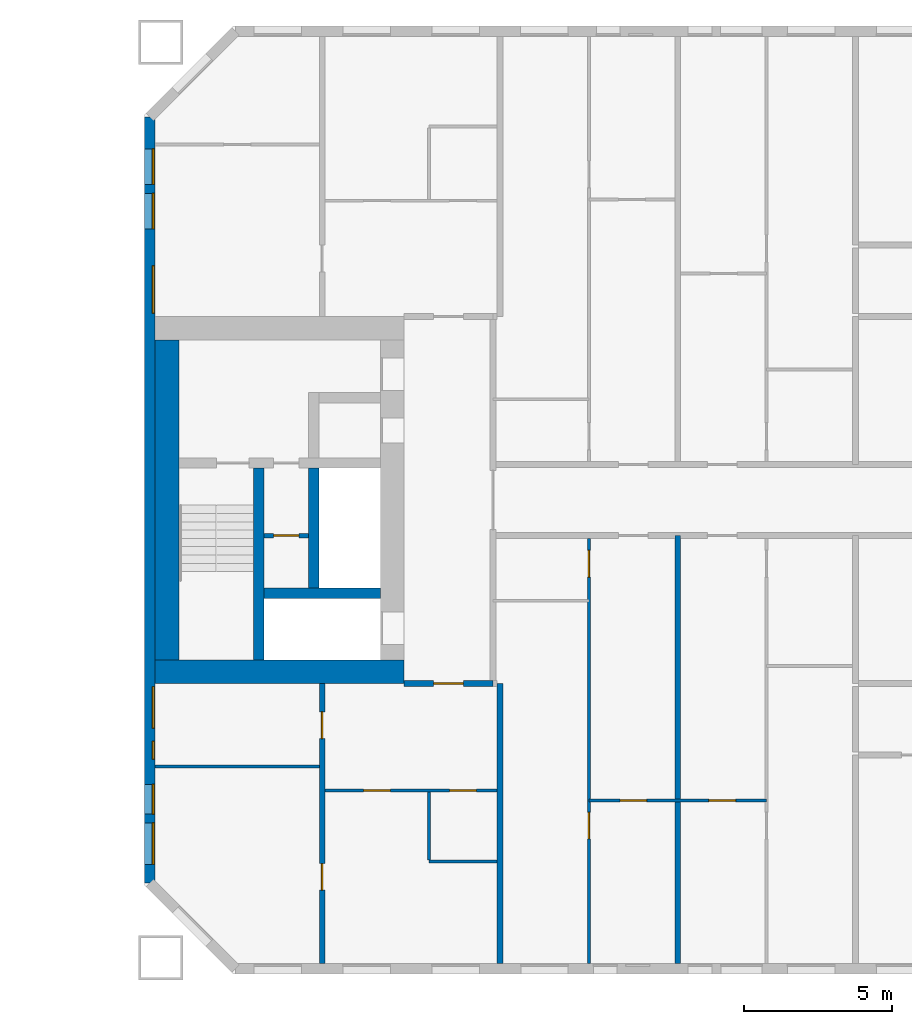
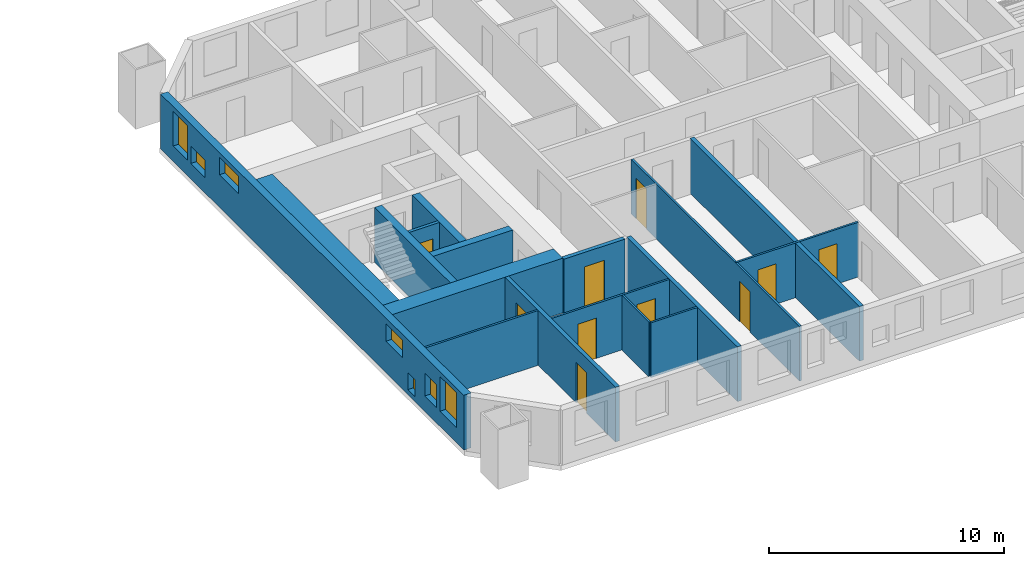
# One storey, part 11 of 19: 17 walls, 10 doors, 7 windows, 17 openings.
"""IFC4 building model written with IfcOpenShell, lengths in metres."""

from ifc_helpers import new_model, si_unit, direction, frame, frame_2d, origin, place, context, subcontext, project, spatial, rectangle, extrude, material, layer, layer_set, type_object, element, fill, save


model = new_model("IFC4")

# Units and contexts
model_context = context("Model", 3, precision=1e-05, world=origin(), true_north=direction((0.0, 1.0)))
body_context = subcontext(model_context, "Body", "Model", "MODEL_VIEW")
ifc_project = project(units=[si_unit("LENGTHUNIT", "METRE"), si_unit("AREAUNIT", "SQUARE_METRE"), si_unit("VOLUMEUNIT", "CUBIC_METRE"), si_unit("PLANEANGLEUNIT", "RADIAN"), si_unit("MASSUNIT", "GRAM", prefix="KILO")], contexts=[model_context])

# Site, building, storey
site_placement = place(None, origin())
site = spatial("IfcSite", under=ifc_project, at=site_placement, CompositionType="ELEMENT")
building_placement = place(site_placement, origin())
building = spatial("IfcBuilding", under=site, at=building_placement, Name="Tuart Gate Housing", CompositionType="ELEMENT")
storey_placement = place(building_placement, frame((0.0, 0.0, 56.699951171875)))
storey = spatial("IfcBuildingStorey", under=building, at=storey_placement, Name="L15", CompositionType="ELEMENT", Elevation=56.699951171875)

# Wall, openings, windows
ifc_material_1 = material(Name="Brick", Category="masonry")
ifc_layer_1 = layer(ifc_material_1, 0.360107421875)
ifc_layer_set_1 = layer_set([ifc_layer_1], Name="Brick pier and spandrel wall 360")
wall_type_1 = type_object("IfcWallType", Name="Brick pier and spandrel wall 360", PredefinedType="STANDARD", material=ifc_layer_set_1)
wall_1_placement = place(storey_placement, frame((131.179931640625, 82.92529296875, 0.0), z_axis=(0.0, 0.0, 1.0), x_axis=(0.0, -1.0, 0.0)))
wall_1 = element("IfcWall", 1, at=wall_1_placement, inside=storey, type_object=wall_type_1, Name="External wall B-W L15", PredefinedType="STANDARD", context=body_context, shape_type="SweptSolid", body=[
    extrude(rectangle(XDim=25.850830078125, YDim=0.360107421875, at=frame_2d((12.92529296875, 0.0))), origin(), (0.0, 0.0, 1.0), 2.85009765625),
])
opening_1_placement = place(wall_1_placement, frame((1.075439453125, 0.0, 0.800048828125)))
opening_1 = element("IfcOpeningElement", 2, at=opening_1_placement, cuts=wall_1, Name="Opening W1B", PredefinedType="OPENING", context=body_context, shape_type="SweptSolid", body=[
    extrude(rectangle(XDim=1.199951171875, YDim=1.800048828125, at=frame_2d((0.60009765625, 0.89990234375))), frame((0.0, 0.18994140625, 0.0), z_axis=(0.0, -1.0, 0.0), x_axis=(1.0, 0.0, 0.0)), (0.0, 0.0, 1.0), 0.380126953125),
])
opening_2_placement = place(wall_1_placement, frame((2.575439453125, 0.0, 0.800048828125)))
opening_2 = element("IfcOpeningElement", 3, at=opening_2_placement, cuts=wall_1, Name="Opening W1T", PredefinedType="OPENING", context=body_context, shape_type="SweptSolid", body=[
    extrude(rectangle(XDim=1.199951171875, YDim=0.89990234375, at=frame_2d((0.60009765625, 0.449951171875))), frame((0.0, 0.18994140625, 0.0), z_axis=(0.0, -1.0, 0.0), x_axis=(1.0, 0.0, 0.0)), (0.0, 0.0, 1.0), 0.380126953125),
])
opening_3_placement = place(wall_1_placement, frame((19.225341796875, 0.0, 1.64990234375)))
opening_3 = element("IfcOpeningElement", 4, at=opening_3_placement, cuts=wall_1, Name="Opening W1S", PredefinedType="OPENING", context=body_context, shape_type="SweptSolid", body=[
    extrude(rectangle(XDim=1.39990234375, YDim=0.89990234375, at=frame_2d((0.699951171875, 0.449951171875))), frame((0.0, 0.18994140625, 0.0), z_axis=(0.0, -1.0, 0.0), x_axis=(1.0, 0.0, 0.0)), (0.0, 0.0, 1.0), 0.380126953125),
])
opening_4_placement = place(wall_1_placement, frame((22.525390625, 0.0, 0.800048828125)))
opening_4 = element("IfcOpeningElement", 5, at=opening_4_placement, cuts=wall_1, Name="Opening W1O", PredefinedType="OPENING", context=body_context, shape_type="SweptSolid", body=[
    extrude(rectangle(XDim=1.0, YDim=1.199951171875, at=frame_2d((0.5, 0.60009765625))), frame((0.0, 0.18994140625, 0.0), z_axis=(0.0, -1.0, 0.0), x_axis=(1.0, 0.0, 0.0)), (0.0, 0.0, 1.0), 0.380126953125),
])
opening_5_placement = place(wall_1_placement, frame((5.025390625, 0.0, 1.699951171875)))
opening_5 = element("IfcOpeningElement", 6, at=opening_5_placement, cuts=wall_1, Name="Opening W1R", PredefinedType="OPENING", context=body_context, shape_type="SweptSolid", body=[
    extrude(rectangle(XDim=1.60009765625, YDim=0.89990234375, at=frame_2d((0.800048828125, 0.449951171875))), frame((0.0, 0.18994140625, 0.0), z_axis=(0.0, -1.0, 0.0), x_axis=(1.0, 0.0, 0.0)), (0.0, 0.0, 1.0), 0.380126953125),
])
opening_6_placement = place(wall_1_placement, frame((21.075439453125, 0.0, 0.25)))
opening_6 = element("IfcOpeningElement", 7, at=opening_6_placement, cuts=wall_1, Name="Opening W1W", PredefinedType="OPENING", context=body_context, shape_type="SweptSolid", body=[
    extrude(rectangle(XDim=0.60009765625, YDim=0.89990234375, at=frame_2d((0.300048828125, 0.449951171875))), frame((0.0, 0.18994140625, 0.0), z_axis=(0.0, -1.0, 0.0), x_axis=(1.0, 0.0, 0.0)), (0.0, 0.0, 1.0), 0.380126953125),
])
opening_7_placement = place(wall_1_placement, frame((23.825439453125, 0.0, 0.800048828125)))
opening_7 = element("IfcOpeningElement", 8, at=opening_7_placement, cuts=wall_1, Name="Opening W1A", PredefinedType="OPENING", context=body_context, shape_type="SweptSolid", body=[
    extrude(rectangle(XDim=1.39990234375, YDim=1.800048828125, at=frame_2d((0.699951171875, 0.89990234375))), frame((0.0, 0.18994140625, 0.0), z_axis=(0.0, -1.0, 0.0), x_axis=(1.0, 0.0, 0.0)), (0.0, 0.0, 1.0), 0.380126953125),
])
ifc_material_2 = material(Name="Aluminium frame with clear glass", Category="aluminium")
window_type_1 = type_object("IfcWindowType", Name="Punched window 1000 x 1200", PartitioningType="SINGLE_PANEL", PredefinedType="WINDOW", material=ifc_material_2)
window_1_placement = place(opening_4_placement, origin())
window_1 = element("IfcWindow", 9, at=window_1_placement, inside=storey, type_object=window_type_1, Name="Window W1O", OverallHeight=1.199951171875, OverallWidth=1.0, PartitioningType="SINGLE_PANEL", PredefinedType="WINDOW", context=body_context, shape_type="SweptSolid", body=[
    extrude(rectangle(XDim=1.0, YDim=1.199951171875, at=frame_2d((0.5, 0.60009765625))), frame((0.0, 0.150146484375, 0.0), z_axis=(0.0, -1.0, 0.0), x_axis=(1.0, 0.0, 0.0)), (0.0, 0.0, 1.0), 0.06005859375),
])
fill(opening_4, window_1)
ifc_material_3 = material(Name="Aluminium frame with clear glass", Category="aluminium")
window_type_2 = type_object("IfcWindowType", Name="Punched window 1200 x 1800", PartitioningType="SINGLE_PANEL", PredefinedType="WINDOW", material=ifc_material_3)
window_2_placement = place(opening_1_placement, origin())
window_2 = element("IfcWindow", 10, at=window_2_placement, inside=storey, type_object=window_type_2, Name="Window W1B", OverallHeight=1.800048828125, OverallWidth=1.199951171875, PartitioningType="SINGLE_PANEL", PredefinedType="WINDOW", context=body_context, shape_type="SweptSolid", body=[
    extrude(rectangle(XDim=1.199951171875, YDim=1.800048828125, at=frame_2d((0.60009765625, 0.89990234375))), frame((0.0, 0.150146484375, 0.0), z_axis=(0.0, -1.0, 0.0), x_axis=(1.0, 0.0, 0.0)), (0.0, 0.0, 1.0), 0.06005859375),
])
fill(opening_1, window_2)
ifc_material_4 = material(Name="Aluminium frame with clear glass", Category="aluminium")
window_type_3 = type_object("IfcWindowType", Name="Punched window 1200 x 900", PartitioningType="SINGLE_PANEL", PredefinedType="WINDOW", material=ifc_material_4)
window_3_placement = place(opening_2_placement, origin())
window_3 = element("IfcWindow", 11, at=window_3_placement, inside=storey, type_object=window_type_3, Name="Window W1T", OverallHeight=0.89990234375, OverallWidth=1.199951171875, PartitioningType="SINGLE_PANEL", PredefinedType="WINDOW", context=body_context, shape_type="SweptSolid", body=[
    extrude(rectangle(XDim=1.199951171875, YDim=0.89990234375, at=frame_2d((0.60009765625, 0.449951171875))), frame((0.0, 0.150146484375, 0.0), z_axis=(0.0, -1.0, 0.0), x_axis=(1.0, 0.0, 0.0)), (0.0, 0.0, 1.0), 0.06005859375),
])
fill(opening_2, window_3)
ifc_material_5 = material(Name="Aluminium frame with clear glass", Category="aluminium")
window_type_4 = type_object("IfcWindowType", Name="Punched window 1400 x 1800", PartitioningType="SINGLE_PANEL", PredefinedType="WINDOW", material=ifc_material_5)
window_4_placement = place(opening_7_placement, origin())
window_4 = element("IfcWindow", 12, at=window_4_placement, inside=storey, type_object=window_type_4, Name="Window W1A", OverallHeight=1.800048828125, OverallWidth=1.39990234375, PartitioningType="SINGLE_PANEL", PredefinedType="WINDOW", context=body_context, shape_type="SweptSolid", body=[
    extrude(rectangle(XDim=1.39990234375, YDim=1.800048828125, at=frame_2d((0.699951171875, 0.89990234375))), frame((0.0, 0.150146484375, 0.0), z_axis=(0.0, -1.0, 0.0), x_axis=(1.0, 0.0, 0.0)), (0.0, 0.0, 1.0), 0.06005859375),
])
fill(opening_7, window_4)
ifc_material_6 = material(Name="Aluminium frame with clear glass", Category="aluminium")
window_type_5 = type_object("IfcWindowType", Name="Punched window 1400 x 900", PartitioningType="SINGLE_PANEL", PredefinedType="WINDOW", material=ifc_material_6)
window_5_placement = place(opening_3_placement, origin())
window_5 = element("IfcWindow", 13, at=window_5_placement, inside=storey, type_object=window_type_5, Name="Window W1S", OverallHeight=0.89990234375, OverallWidth=1.39990234375, PartitioningType="SINGLE_PANEL", PredefinedType="WINDOW", context=body_context, shape_type="SweptSolid", body=[
    extrude(rectangle(XDim=1.39990234375, YDim=0.89990234375, at=frame_2d((0.699951171875, 0.449951171875))), frame((0.0, 0.150146484375, 0.0), z_axis=(0.0, -1.0, 0.0), x_axis=(1.0, 0.0, 0.0)), (0.0, 0.0, 1.0), 0.06005859375),
])
fill(opening_3, window_5)
ifc_material_7 = material(Name="Aluminium frame with clear glass", Category="aluminium")
window_type_6 = type_object("IfcWindowType", Name="Punched window 1600 x 900", PartitioningType="SINGLE_PANEL", PredefinedType="WINDOW", material=ifc_material_7)
window_6_placement = place(opening_5_placement, origin())
window_6 = element("IfcWindow", 14, at=window_6_placement, inside=storey, type_object=window_type_6, Name="Window W1R", OverallHeight=0.89990234375, OverallWidth=1.60009765625, PartitioningType="SINGLE_PANEL", PredefinedType="WINDOW", context=body_context, shape_type="SweptSolid", body=[
    extrude(rectangle(XDim=1.60009765625, YDim=0.89990234375, at=frame_2d((0.800048828125, 0.449951171875))), frame((0.0, 0.150146484375, 0.0), z_axis=(0.0, -1.0, 0.0), x_axis=(1.0, 0.0, 0.0)), (0.0, 0.0, 1.0), 0.06005859375),
])
fill(opening_5, window_6)
ifc_material_8 = material(Name="Aluminium frame with clear glass", Category="aluminium")
window_type_7 = type_object("IfcWindowType", Name="Punched window 600 x 900", PartitioningType="SINGLE_PANEL", PredefinedType="WINDOW", material=ifc_material_8)
window_7_placement = place(opening_6_placement, origin())
window_7 = element("IfcWindow", 15, at=window_7_placement, inside=storey, type_object=window_type_7, Name="Window W1W", OverallHeight=0.89990234375, OverallWidth=0.60009765625, PartitioningType="SINGLE_PANEL", PredefinedType="WINDOW", context=body_context, shape_type="SweptSolid", body=[
    extrude(rectangle(XDim=0.60009765625, YDim=0.89990234375, at=frame_2d((0.300048828125, 0.449951171875))), frame((0.0, 0.150146484375, 0.0), z_axis=(0.0, -1.0, 0.0), x_axis=(1.0, 0.0, 0.0)), (0.0, 0.0, 1.0), 0.06005859375),
])
fill(opening_6, window_7)

# Wall, opening, door
ifc_material_9 = material(Name="Plasterboard partition")
ifc_layer_2 = layer(ifc_material_9, 0.14990234375)
ifc_layer_set_2 = layer_set([ifc_layer_2], Name="Core partition 150")
wall_type_2 = type_object("IfcWallType", Name="Core partition 150", PredefinedType="PARTITIONING", material=ifc_layer_set_2)
wall_2_placement = place(storey_placement, frame((136.534912109375, 68.800048828125, 0.0), z_axis=(0.0, 0.0, 1.0), x_axis=(-1.0, 0.0, 0.0)))
wall_2 = element("IfcWall", 16, at=wall_2_placement, inside=storey, type_object=wall_type_2, Name="Core partition BG.2", PredefinedType="PARTITIONING", context=body_context, shape_type="SweptSolid", body=[
    extrude(rectangle(XDim=1.5, YDim=0.14990234375, at=frame_2d((0.75, 0.0))), origin(), (0.0, 0.0, 1.0), 2.85009765625),
])
opening_8_placement = place(wall_2_placement, frame((0.324951171875, 0.0, 0.0)))
opening_8 = element("IfcOpeningElement", 17, at=opening_8_placement, cuts=wall_2, Name="Opening D809", PredefinedType="OPENING", context=body_context, shape_type="SweptSolid", body=[
    extrude(rectangle(XDim=0.85009765625, YDim=2.10009765625, at=frame_2d((0.425048828125, 1.050048828125))), frame((0.0, 0.0849609375, 0.0), z_axis=(0.0, -1.0, 0.0), x_axis=(1.0, 0.0, 0.0)), (0.0, 0.0, 1.0), 0.169921875),
])
ifc_material_10 = material(Name="Steel fire door", Category="steel")
door_type_1 = type_object("IfcDoorType", Name="Service door 850 x 2100 RH", OperationType="SINGLE_SWING_RIGHT", PredefinedType="DOOR", material=ifc_material_10)
door_1_placement = place(opening_8_placement, frame((0.85009765625, 0.0, 0.0), z_axis=(0.0, 0.0, 1.0), x_axis=(-1.0, 0.0, 0.0)))
door_1 = element("IfcDoor", 18, at=door_1_placement, inside=storey, type_object=door_type_1, Name="Service room door BG.W2", OperationType="SINGLE_SWING_RIGHT", OverallHeight=2.10009765625, OverallWidth=0.85009765625, PredefinedType="DOOR", context=body_context, shape_type="SweptSolid", body=[
    extrude(rectangle(XDim=0.85009765625, YDim=2.10009765625, at=frame_2d((0.425048828125, 1.050048828125))), frame((0.0, 0.025146484375, 0.0), z_axis=(0.0, -1.0, 0.0), x_axis=(1.0, 0.0, 0.0)), (0.0, 0.0, 1.0), 0.050048828125),
])
fill(opening_8, door_1)

# Walls
ifc_material_11 = material(Name="Concrete C60", Category="concrete")
ifc_layer_3 = layer(ifc_material_11, 0.35009765625)
ifc_layer_set_3 = layer_set([ifc_layer_3], Name="Core wall 350 C60")
wall_type_3 = type_object("IfcWallType", Name="Core wall 350 C60", PredefinedType="SHEAR", material=ifc_layer_set_3)
wall_3_placement = place(storey_placement, frame((138.9599609375, 66.85009765625, 0.0), z_axis=(0.0, 0.0, 1.0), x_axis=(-1.0, 0.0, 0.0)))
element("IfcWall", 19, at=wall_3_placement, inside=storey, type_object=wall_type_3, Name="Core wall BG.1", PredefinedType="SHEAR", context=body_context, shape_type="SweptSolid", body=[
    extrude(rectangle(XDim=3.925048828125, YDim=0.35009765625, at=frame_2d((1.96240234375, 0.0))), origin(), (0.0, 0.0, 1.0), 2.85009765625),
])
wall_4_placement = place(storey_placement, frame((136.7099609375, 67.02490234375, 0.0), z_axis=(0.0, 0.0, 1.0), x_axis=(0.0, 1.0, 0.0)))
element("IfcWall", 20, at=wall_4_placement, inside=storey, type_object=wall_type_3, Name="Core wall BG.5", PredefinedType="SHEAR", context=body_context, shape_type="SweptSolid", body=[
    extrude(rectangle(XDim=4.050048828125, YDim=0.35009765625, at=frame_2d((2.02490234375, 0.0))), origin(), (0.0, 0.0, 1.0), 2.85009765625),
])
wall_5_placement = place(storey_placement, frame((134.860107421875, 64.60009765625, 0.0), z_axis=(0.0, 0.0, 1.0), x_axis=(0.0, 1.0, 0.0)))
element("IfcWall", 21, at=wall_5_placement, inside=storey, type_object=wall_type_3, Name="Core wall BG.7", PredefinedType="SHEAR", context=body_context, shape_type="SweptSolid", body=[
    extrude(rectangle(XDim=6.474853515625, YDim=0.35009765625, at=frame_2d((3.2373046875, 0.0))), origin(), (0.0, 0.0, 1.0), 2.85009765625),
])
ifc_material_12 = material(Name="Concrete C60", Category="concrete")
ifc_layer_4 = layer(ifc_material_12, 0.800048828125)
ifc_layer_set_4 = layer_set([ifc_layer_4], Name="Core wall 800 C60")
wall_type_4 = type_object("IfcWallType", Name="Core wall 800 C60", PredefinedType="SHEAR", material=ifc_layer_set_4)
wall_6_placement = place(storey_placement, frame((131.760009765625, 64.60009765625, 0.0), z_axis=(0.0, 0.0, 1.0), x_axis=(0.0, 1.0, 0.0)))
element("IfcWall", 22, at=wall_6_placement, inside=storey, type_object=wall_type_4, Name="Core wall BG back", PredefinedType="SHEAR", context=body_context, shape_type="SweptSolid", body=[
    extrude(rectangle(XDim=10.7998046875, YDim=0.800048828125, at=frame_2d((5.39990234375, 0.0))), origin(), (0.0, 0.0, 1.0), 2.85009765625),
])
wall_7_placement = place(storey_placement, frame((139.760009765625, 64.199951171875, 0.0), z_axis=(0.0, 0.0, 1.0), x_axis=(-1.0, 0.0, 0.0)))
element("IfcWall", 23, at=wall_7_placement, inside=storey, type_object=wall_type_4, Name="Core wall BG south", PredefinedType="SHEAR", context=body_context, shape_type="SweptSolid", body=[
    extrude(rectangle(XDim=8.39990234375, YDim=0.800048828125, at=frame_2d((4.199951171875, 0.0))), origin(), (0.0, 0.0, 1.0), 2.85009765625),
])

# Wall, opening, door
ifc_material_13 = material(Name="Concrete masonry 15 MPa", Category="masonry")
ifc_layer_5 = layer(ifc_material_13, 0.199951171875)
ifc_layer_set_5 = layer_set([ifc_layer_5], Name="Enclosure wall masonry 200")
wall_type_5 = type_object("IfcWallType", Name="Enclosure wall masonry 200", PredefinedType="PARTITIONING", material=ifc_layer_set_5)
wall_8_placement = place(storey_placement, frame((139.760009765625, 63.800048828125, 0.0), z_axis=(0.0, 0.0, 1.0), x_axis=(1.0, 0.0, 0.0)))
wall_8 = element("IfcWall", 24, at=wall_8_placement, inside=storey, type_object=wall_type_5, Name="Enclosure wall masonry 200", PredefinedType="PARTITIONING", context=body_context, shape_type="SweptSolid", body=[
    extrude(rectangle(XDim=3.0, YDim=0.199951171875, at=frame_2d((1.5, 0.0))), origin(), (0.0, 0.0, 1.0), 2.85009765625),
])
opening_9_placement = place(wall_8_placement, frame((1.0, 0.0, 0.0)))
opening_9 = element("IfcOpeningElement", 25, at=opening_9_placement, cuts=wall_8, Name="Opening D814", PredefinedType="OPENING", context=body_context, shape_type="SweptSolid", body=[
    extrude(rectangle(XDim=1.0, YDim=2.10009765625, at=frame_2d((0.5, 1.050048828125))), frame((0.0, 0.10986328125, 0.0), z_axis=(0.0, -1.0, 0.0), x_axis=(1.0, 0.0, 0.0)), (0.0, 0.0, 1.0), 0.219970703125),
])
ifc_material_14 = material(Name="Timber door leaf in steel frame", Category="steel")
door_type_2 = type_object("IfcDoorType", Name="Flat entrance door 1000", OperationType="SINGLE_SWING_LEFT", PredefinedType="DOOR", material=ifc_material_14)
door_2_placement = place(opening_9_placement, frame((1.0, 0.0, 0.0), z_axis=(0.0, 0.0, 1.0), x_axis=(-1.0, 0.0, 0.0)))
door_2 = element("IfcDoor", 26, at=door_2_placement, inside=storey, type_object=door_type_2, Name="Flat entrance door", OperationType="SINGLE_SWING_LEFT", OverallHeight=2.10009765625, OverallWidth=1.0, PredefinedType="DOOR", context=body_context, shape_type="SweptSolid", body=[
    extrude(rectangle(XDim=1.0, YDim=2.10009765625, at=frame_2d((0.5, 1.050048828125))), frame((0.0, 0.025146484375, 0.0), z_axis=(0.0, -1.0, 0.0), x_axis=(1.0, 0.0, 0.0)), (0.0, 0.0, 1.0), 0.050048828125),
])
fill(opening_9, door_2)

# Wall
ifc_material_15 = material(Name="Gypsum board on steel studs", Category="steel")
ifc_layer_6 = layer(ifc_material_15, 0.10009765625)
ifc_layer_set_6 = layer_set([ifc_layer_6], Name="Partition 100")
wall_type_6 = type_object("IfcWallType", Name="Partition 100", PredefinedType="PARTITIONING", material=ifc_layer_set_6)
wall_9_placement = place(storey_placement, frame((140.60009765625, 57.800048828125, 0.0), z_axis=(0.0, 0.0, 1.0), x_axis=(1.0, 0.0, 0.0)))
element("IfcWall", 27, at=wall_9_placement, inside=storey, type_object=wall_type_6, Name="Partition 100", PredefinedType="PARTITIONING", context=body_context, shape_type="SweptSolid", body=[
    extrude(rectangle(XDim=2.2998046875, YDim=0.10009765625, at=frame_2d((1.14990234375, 0.0))), origin(), (0.0, 0.0, 1.0), 2.85009765625),
])

# Wall, openings, doors
wall_10_placement = place(storey_placement, frame((146.0, 59.860107421875, 0.0), z_axis=(0.0, 0.0, 1.0), x_axis=(1.0, 0.0, 0.0)))
wall_10 = element("IfcWall", 28, at=wall_10_placement, inside=storey, type_object=wall_type_6, Name="Partition 100", PredefinedType="PARTITIONING", context=body_context, shape_type="SweptSolid", body=[
    extrude(rectangle(XDim=6.0, YDim=0.10009765625, at=frame_2d((3.0, 0.0))), origin(), (0.0, 0.0, 1.0), 2.85009765625),
])
opening_10_placement = place(wall_10_placement, frame((1.050048828125, 0.0, 0.0)))
opening_10 = element("IfcOpeningElement", 29, at=opening_10_placement, cuts=wall_10, Name="Opening D825", PredefinedType="OPENING", context=body_context, shape_type="SweptSolid", body=[
    extrude(rectangle(XDim=0.89990234375, YDim=2.10009765625, at=frame_2d((0.449951171875, 1.050048828125))), frame((0.0, 0.06005859375, 0.0), z_axis=(0.0, -1.0, 0.0), x_axis=(1.0, 0.0, 0.0)), (0.0, 0.0, 1.0), 0.1201171875),
])
opening_11_placement = place(wall_10_placement, frame((4.050048828125, 0.0, 0.0)))
opening_11 = element("IfcOpeningElement", 30, at=opening_11_placement, cuts=wall_10, Name="Opening D826", PredefinedType="OPENING", context=body_context, shape_type="SweptSolid", body=[
    extrude(rectangle(XDim=0.89990234375, YDim=2.10009765625, at=frame_2d((0.449951171875, 1.050048828125))), frame((0.0, 0.06005859375, 0.0), z_axis=(0.0, -1.0, 0.0), x_axis=(1.0, 0.0, 0.0)), (0.0, 0.0, 1.0), 0.1201171875),
])
ifc_material_16 = material(Name="Timber door leaf in steel frame", Category="steel")
door_type_3 = type_object("IfcDoorType", Name="Internal door 900", OperationType="SINGLE_SWING_LEFT", PredefinedType="DOOR", material=ifc_material_16)
door_3_placement = place(opening_10_placement, origin())
door_3 = element("IfcDoor", 31, at=door_3_placement, inside=storey, type_object=door_type_3, Name="Internal door", OperationType="SINGLE_SWING_LEFT", OverallHeight=2.10009765625, OverallWidth=0.89990234375, PredefinedType="DOOR", context=body_context, shape_type="SweptSolid", body=[
    extrude(rectangle(XDim=0.89990234375, YDim=2.10009765625, at=frame_2d((0.449951171875, 1.050048828125))), frame((0.0, 0.02490234375, 0.0), z_axis=(0.0, -1.0, 0.0), x_axis=(1.0, 0.0, 0.0)), (0.0, 0.0, 1.0), 0.050048828125),
])
fill(opening_10, door_3)
door_4_placement = place(opening_11_placement, origin())
door_4 = element("IfcDoor", 32, at=door_4_placement, inside=storey, type_object=door_type_3, Name="Internal door", OperationType="SINGLE_SWING_LEFT", OverallHeight=2.10009765625, OverallWidth=0.89990234375, PredefinedType="DOOR", context=body_context, shape_type="SweptSolid", body=[
    extrude(rectangle(XDim=0.89990234375, YDim=2.10009765625, at=frame_2d((0.449951171875, 1.050048828125))), frame((0.0, 0.02490234375, 0.0), z_axis=(0.0, -1.0, 0.0), x_axis=(1.0, 0.0, 0.0)), (0.0, 0.0, 1.0), 0.050048828125),
])
fill(opening_11, door_4)

wall_11_placement = place(storey_placement, frame((137.10009765625, 60.199951171875, 0.0), z_axis=(0.0, 0.0, 1.0), x_axis=(1.0, 0.0, 0.0)))
wall_11 = element("IfcWall", 33, at=wall_11_placement, inside=storey, type_object=wall_type_6, Name="Partition 100", PredefinedType="PARTITIONING", context=body_context, shape_type="SweptSolid", body=[
    extrude(rectangle(XDim=5.7998046875, YDim=0.10009765625, at=frame_2d((2.89990234375, 0.0))), origin(), (0.0, 0.0, 1.0), 2.85009765625),
])
opening_12_placement = place(wall_11_placement, frame((1.300048828125, 0.0, 0.0)))
opening_12 = element("IfcOpeningElement", 34, at=opening_12_placement, cuts=wall_11, Name="Opening D824", PredefinedType="OPENING", context=body_context, shape_type="SweptSolid", body=[
    extrude(rectangle(XDim=0.89990234375, YDim=2.10009765625, at=frame_2d((0.449951171875, 1.050048828125))), frame((0.0, 0.06005859375, 0.0), z_axis=(0.0, -1.0, 0.0), x_axis=(1.0, 0.0, 0.0)), (0.0, 0.0, 1.0), 0.1201171875),
])
opening_13_placement = place(wall_11_placement, frame((4.199951171875, 0.0, 0.0)))
opening_13 = element("IfcOpeningElement", 35, at=opening_13_placement, cuts=wall_11, Name="Opening D823", PredefinedType="OPENING", context=body_context, shape_type="SweptSolid", body=[
    extrude(rectangle(XDim=0.89990234375, YDim=2.10009765625, at=frame_2d((0.449951171875, 1.050048828125))), frame((0.0, 0.06005859375, 0.0), z_axis=(0.0, -1.0, 0.0), x_axis=(1.0, 0.0, 0.0)), (0.0, 0.0, 1.0), 0.1201171875),
])
ifc_material_17 = material(Name="Timber door leaf in steel frame", Category="steel")
door_type_4 = type_object("IfcDoorType", Name="Bathroom door 900 RH", OperationType="SINGLE_SWING_RIGHT", PredefinedType="DOOR", material=ifc_material_17)
door_5_placement = place(opening_13_placement, frame((0.89990234375, 0.0, 0.0), z_axis=(0.0, 0.0, 1.0), x_axis=(-1.0, 0.0, 0.0)))
door_5 = element("IfcDoor", 36, at=door_5_placement, inside=storey, type_object=door_type_4, Name="Bathroom door", OperationType="SINGLE_SWING_RIGHT", OverallHeight=2.10009765625, OverallWidth=0.89990234375, PredefinedType="DOOR", context=body_context, shape_type="SweptSolid", body=[
    extrude(rectangle(XDim=0.89990234375, YDim=2.10009765625, at=frame_2d((0.449951171875, 1.050048828125))), frame((0.0, 0.025146484375, 0.0), z_axis=(0.0, -1.0, 0.0), x_axis=(1.0, 0.0, 0.0)), (0.0, 0.0, 1.0), 0.050048828125),
])
fill(opening_13, door_5)
door_6_placement = place(opening_12_placement, origin())
door_6 = element("IfcDoor", 37, at=door_6_placement, inside=storey, type_object=door_type_3, Name="Internal door", OperationType="SINGLE_SWING_LEFT", OverallHeight=2.10009765625, OverallWidth=0.89990234375, PredefinedType="DOOR", context=body_context, shape_type="SweptSolid", body=[
    extrude(rectangle(XDim=0.89990234375, YDim=2.10009765625, at=frame_2d((0.449951171875, 1.050048828125))), frame((0.0, 0.02490234375, 0.0), z_axis=(0.0, -1.0, 0.0), x_axis=(1.0, 0.0, 0.0)), (0.0, 0.0, 1.0), 0.050048828125),
])
fill(opening_12, door_6)

# Walls
wall_12_placement = place(storey_placement, frame((131.360107421875, 61.0, 0.0), z_axis=(0.0, 0.0, 1.0), x_axis=(1.0, 0.0, 0.0)))
element("IfcWall", 38, at=wall_12_placement, inside=storey, type_object=wall_type_6, Name="Partition 100", PredefinedType="PARTITIONING", context=body_context, shape_type="SweptSolid", body=[
    extrude(rectangle(XDim=5.539794921875, YDim=0.10009765625, at=frame_2d((2.77001953125, 0.0))), origin(), (0.0, 0.0, 1.0), 2.85009765625),
])
wall_13_placement = place(storey_placement, frame((140.60009765625, 57.85009765625, 0.0), z_axis=(0.0, 0.0, 1.0), x_axis=(0.0, 1.0, 0.0)))
element("IfcWall", 39, at=wall_13_placement, inside=storey, type_object=wall_type_6, Name="Partition 100", PredefinedType="PARTITIONING", context=body_context, shape_type="SweptSolid", body=[
    extrude(rectangle(XDim=2.2998046875, YDim=0.10009765625, at=frame_2d((1.14990234375, 0.0))), origin(), (0.0, 0.0, 1.0), 2.85009765625),
])

# Wall, openings, doors
wall_14_placement = place(storey_placement, frame((146.0, 54.360107421875, 0.0), z_axis=(0.0, 0.0, 1.0), x_axis=(0.0, 1.0, 0.0)))
wall_14 = element("IfcWall", 40, at=wall_14_placement, inside=storey, type_object=wall_type_6, Name="Partition 100", PredefinedType="PARTITIONING", context=body_context, shape_type="SweptSolid", body=[
    extrude(rectangle(XDim=14.33984375, YDim=0.10009765625, at=frame_2d((7.169921875, 0.0))), origin(), (0.0, 0.0, 1.0), 2.85009765625),
])
opening_14_placement = place(wall_14_placement, frame((4.199951171875, 0.0, 0.0)))
opening_14 = element("IfcOpeningElement", 41, at=opening_14_placement, cuts=wall_14, Name="Opening D817", PredefinedType="OPENING", context=body_context, shape_type="SweptSolid", body=[
    extrude(rectangle(XDim=0.89990234375, YDim=2.10009765625, at=frame_2d((0.449951171875, 1.050048828125))), frame((0.0, 0.06005859375, 0.0), z_axis=(0.0, -1.0, 0.0), x_axis=(1.0, 0.0, 0.0)), (0.0, 0.0, 1.0), 0.1201171875),
])
opening_15_placement = place(wall_14_placement, frame((13.0400390625, 0.0, 0.0)))
opening_15 = element("IfcOpeningElement", 42, at=opening_15_placement, cuts=wall_14, Name="Opening D816", PredefinedType="OPENING", context=body_context, shape_type="SweptSolid", body=[
    extrude(rectangle(XDim=0.89990234375, YDim=2.10009765625, at=frame_2d((0.449951171875, 1.050048828125))), frame((0.0, 0.06005859375, 0.0), z_axis=(0.0, -1.0, 0.0), x_axis=(1.0, 0.0, 0.0)), (0.0, 0.0, 1.0), 0.1201171875),
])
door_7_placement = place(opening_15_placement, origin())
door_7 = element("IfcDoor", 43, at=door_7_placement, inside=storey, type_object=door_type_4, Name="Bathroom door", OperationType="SINGLE_SWING_RIGHT", OverallHeight=2.10009765625, OverallWidth=0.89990234375, PredefinedType="DOOR", context=body_context, shape_type="SweptSolid", body=[
    extrude(rectangle(XDim=0.89990234375, YDim=2.10009765625, at=frame_2d((0.449951171875, 1.050048828125))), frame((0.0, 0.02490234375, 0.0), z_axis=(0.0, -1.0, 0.0), x_axis=(1.0, 0.0, 0.0)), (0.0, 0.0, 1.0), 0.050048828125),
])
fill(opening_15, door_7)
door_8_placement = place(opening_14_placement, origin())
door_8 = element("IfcDoor", 44, at=door_8_placement, inside=storey, type_object=door_type_3, Name="Internal door", OperationType="SINGLE_SWING_LEFT", OverallHeight=2.10009765625, OverallWidth=0.89990234375, PredefinedType="DOOR", context=body_context, shape_type="SweptSolid", body=[
    extrude(rectangle(XDim=0.89990234375, YDim=2.10009765625, at=frame_2d((0.449951171875, 1.050048828125))), frame((0.0, 0.02490234375, 0.0), z_axis=(0.0, -1.0, 0.0), x_axis=(1.0, 0.0, 0.0)), (0.0, 0.0, 1.0), 0.050048828125),
])
fill(opening_14, door_8)

ifc_material_18 = material(Name="Concrete C40", Category="concrete")
ifc_layer_7 = layer(ifc_material_18, 0.199951171875)
ifc_layer_set_7 = layer_set([ifc_layer_7], Name="Party wall concrete C40 200")
wall_type_7 = type_object("IfcWallType", Name="Party wall concrete C40 200", PredefinedType="SOLIDWALL", material=ifc_layer_set_7)
wall_15_placement = place(storey_placement, frame((137.0, 54.360107421875, 0.0), z_axis=(0.0, 0.0, 1.0), x_axis=(0.0, 1.0, 0.0)))
wall_15 = element("IfcWall", 45, at=wall_15_placement, inside=storey, type_object=wall_type_7, Name="Party wall concrete C40 200", PredefinedType="SOLIDWALL", context=body_context, shape_type="SweptSolid", body=[
    extrude(rectangle(XDim=9.43994140625, YDim=0.199951171875, at=frame_2d((4.719970703125, 0.0))), origin(), (0.0, 0.0, 1.0), 2.85009765625),
])
opening_16_placement = place(wall_15_placement, frame((2.469970703125, 0.0, 0.0)))
opening_16 = element("IfcOpeningElement", 46, at=opening_16_placement, cuts=wall_15, Name="Opening D829", PredefinedType="OPENING", context=body_context, shape_type="SweptSolid", body=[
    extrude(rectangle(XDim=0.89990234375, YDim=2.10009765625, at=frame_2d((0.449951171875, 1.050048828125))), frame((0.0, 0.10986328125, 0.0), z_axis=(0.0, -1.0, 0.0), x_axis=(1.0, 0.0, 0.0)), (0.0, 0.0, 1.0), 0.219970703125),
])
opening_17_placement = place(wall_15_placement, frame((7.590087890625, 0.0, 0.0)))
opening_17 = element("IfcOpeningElement", 47, at=opening_17_placement, cuts=wall_15, Name="Opening D830", PredefinedType="OPENING", context=body_context, shape_type="SweptSolid", body=[
    extrude(rectangle(XDim=0.89990234375, YDim=2.10009765625, at=frame_2d((0.449951171875, 1.050048828125))), frame((0.0, 0.10986328125, 0.0), z_axis=(0.0, -1.0, 0.0), x_axis=(1.0, 0.0, 0.0)), (0.0, 0.0, 1.0), 0.219970703125),
])
door_9_placement = place(opening_16_placement, origin())
door_9 = element("IfcDoor", 48, at=door_9_placement, inside=storey, type_object=door_type_3, Name="Internal door", OperationType="SINGLE_SWING_LEFT", OverallHeight=2.10009765625, OverallWidth=0.89990234375, PredefinedType="DOOR", context=body_context, shape_type="SweptSolid", body=[
    extrude(rectangle(XDim=0.89990234375, YDim=2.10009765625, at=frame_2d((0.449951171875, 1.050048828125))), frame((0.0, 0.02490234375, 0.0), z_axis=(0.0, -1.0, 0.0), x_axis=(1.0, 0.0, 0.0)), (0.0, 0.0, 1.0), 0.050048828125),
])
fill(opening_16, door_9)
door_10_placement = place(opening_17_placement, origin())
door_10 = element("IfcDoor", 49, at=door_10_placement, inside=storey, type_object=door_type_3, Name="Internal door", OperationType="SINGLE_SWING_LEFT", OverallHeight=2.10009765625, OverallWidth=0.89990234375, PredefinedType="DOOR", context=body_context, shape_type="SweptSolid", body=[
    extrude(rectangle(XDim=0.89990234375, YDim=2.10009765625, at=frame_2d((0.449951171875, 1.050048828125))), frame((0.0, 0.02490234375, 0.0), z_axis=(0.0, -1.0, 0.0), x_axis=(1.0, 0.0, 0.0)), (0.0, 0.0, 1.0), 0.050048828125),
])
fill(opening_17, door_10)

# Walls
wall_16_placement = place(storey_placement, frame((143.0, 54.360107421875, 0.0), z_axis=(0.0, 0.0, 1.0), x_axis=(0.0, 1.0, 0.0)))
element("IfcWall", 50, at=wall_16_placement, inside=storey, type_object=wall_type_7, Name="Party wall concrete C40 200", PredefinedType="SOLIDWALL", context=body_context, shape_type="SweptSolid", body=[
    extrude(rectangle(XDim=9.43994140625, YDim=0.199951171875, at=frame_2d((4.719970703125, 0.0))), origin(), (0.0, 0.0, 1.0), 2.85009765625),
])
wall_17_placement = place(storey_placement, frame((149.0, 54.360107421875, 0.0), z_axis=(0.0, 0.0, 1.0), x_axis=(0.0, 1.0, 0.0)))
element("IfcWall", 51, at=wall_17_placement, inside=storey, type_object=wall_type_7, Name="Party wall concrete C40 200", PredefinedType="SOLIDWALL", context=body_context, shape_type="SweptSolid", body=[
    extrude(rectangle(XDim=14.43994140625, YDim=0.199951171875, at=frame_2d((7.219970703125, 0.0))), origin(), (0.0, 0.0, 1.0), 2.85009765625),
])

save(model, "model.ifc")
